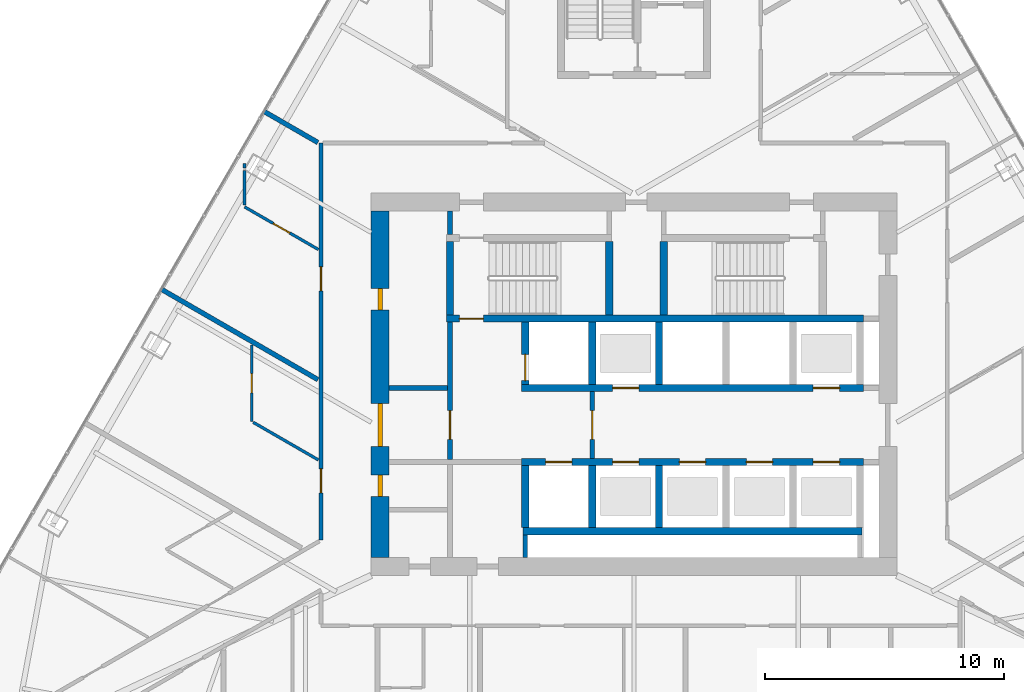
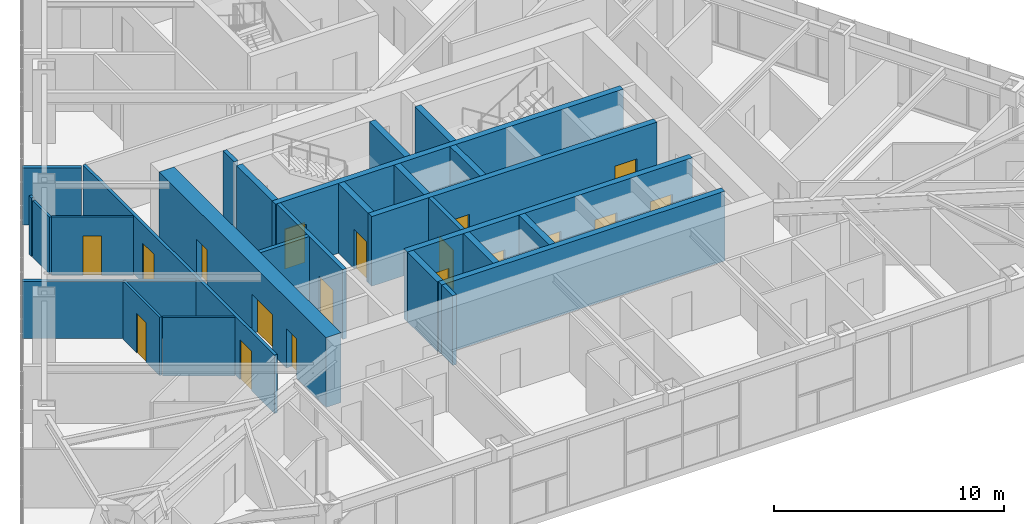
# One storey, part 19 of 24: 27 walls, 18 doors, 18 openings.
"""IFC4 building model written with IfcOpenShell, lengths in metres."""

from ifc_helpers import new_model, si_unit, direction, frame, frame_2d, origin, place, context, subcontext, project, spatial, rectangle, extrude, material, layer, layer_set, type_object, element, fill, save


model = new_model("IFC4")

# Units and contexts
model_context = context("Model", 3, precision=1e-05, world=origin(), true_north=direction((0.0, 1.0)))
body_context = subcontext(model_context, "Body", "Model", "MODEL_VIEW")
ifc_project = project(units=[si_unit("LENGTHUNIT", "METRE"), si_unit("AREAUNIT", "SQUARE_METRE"), si_unit("VOLUMEUNIT", "CUBIC_METRE"), si_unit("PLANEANGLEUNIT", "RADIAN"), si_unit("MASSUNIT", "GRAM", prefix="KILO")], contexts=[model_context])

# Site, building, storey
site_placement = place(None, origin())
site = spatial("IfcSite", under=ifc_project, at=site_placement, CompositionType="ELEMENT")
building_placement = place(site_placement, origin())
building = spatial("IfcBuilding", under=site, at=building_placement, Name="Firuza Gate Tower and Library", CompositionType="ELEMENT")
storey_placement = place(building_placement, frame((0.0, 0.0, 206.5)))
storey = spatial("IfcBuildingStorey", under=building, at=storey_placement, Name="L48", CompositionType="ELEMENT", Elevation=206.5)

# Wall
ifc_material_1 = material(Name="Plasterboard on steel studs", Category="steel")
ifc_layer_1 = layer(ifc_material_1, 0.199951171875)
ifc_layer_set_1 = layer_set([ifc_layer_1], Name="Core partition 200 EI 120")
wall_type_1 = type_object("IfcWallType", Name="Core partition 200 EI 120", PredefinedType="PARTITIONING", material=ifc_layer_set_1)
wall_1_placement = place(storey_placement, frame((64.75, 74.85009765625, 0.0), z_axis=(0.0, 0.0, 1.0), x_axis=(1.0, 0.0, 0.0)))
element("IfcWall", 1, at=wall_1_placement, inside=storey, type_object=wall_type_1, Name="Core partition L48 4", PredefinedType="PARTITIONING", context=body_context, shape_type="SweptSolid", body=[
    extrude(rectangle(XDim=2.449951171875, YDim=0.199951171875, at=frame_2d((1.22509765625, 0.0))), origin(), (0.0, 0.0, 1.0), 3.699951171875),
])

# Wall, opening, door
wall_2_placement = place(storey_placement, frame((67.300048828125, 71.85009765625, 0.0), z_axis=(0.0, 0.0, 1.0), x_axis=(0.0, 1.0, 0.0)))
wall_2 = element("IfcWall", 2, at=wall_2_placement, inside=storey, type_object=wall_type_1, Name="Core partition L48 8", PredefinedType="PARTITIONING", context=body_context, shape_type="SweptSolid", body=[
    extrude(rectangle(XDim=5.75, YDim=0.199951171875, at=frame_2d((2.875, 0.0))), origin(), (0.0, 0.0, 1.0), 3.699951171875),
])
opening_1_placement = place(wall_2_placement, frame((0.85009765625, 0.0, 0.0)))
opening_1 = element("IfcOpeningElement", 3, at=opening_1_placement, cuts=wall_2, Name="Opening L48-K19", PredefinedType="OPENING", context=body_context, shape_type="SweptSolid", body=[
    extrude(rectangle(XDim=1.199951171875, YDim=2.10009765625, at=frame_2d((0.60009765625, 1.050048828125))), frame((0.0, 0.10986328125, 0.0), z_axis=(0.0, -1.0, 0.0), x_axis=(1.0, 0.0, 0.0)), (0.0, 0.0, 1.0), 0.219970703125),
])
ifc_material_2 = material(Name="Steel", Category="steel")
door_type_1 = type_object("IfcDoorType", Name="Fire door 1200x2100 FD90S", OperationType="NOTDEFINED", PredefinedType="DOOR", material=ifc_material_2)
door_1_placement = place(opening_1_placement, origin())
door_1 = element("IfcDoor", 4, at=door_1_placement, inside=storey, type_object=door_type_1, Name="Door L48-K19", OperationType="SINGLE_SWING_RIGHT", OverallHeight=2.10009765625, OverallWidth=1.199951171875, PredefinedType="DOOR", context=body_context, shape_type="SweptSolid", body=[
    extrude(rectangle(XDim=1.199951171875, YDim=2.10009765625, at=frame_2d((0.60009765625, 1.050048828125))), frame((0.0, 0.02490234375, 0.0), z_axis=(0.0, -1.0, 0.0), x_axis=(1.0, 0.0, 0.0)), (0.0, 0.0, 1.0), 0.050048828125),
])
fill(opening_1, door_1)

# Walls
wall_3_placement = place(storey_placement, frame((67.300048828125, 81.280029296875, 0.0), z_axis=(0.0, 0.0, 1.0), x_axis=(0.0, 1.0, 0.0)))
element("IfcWall", 5, at=wall_3_placement, inside=storey, type_object=wall_type_1, Name="Core partition L48 9", PredefinedType="PARTITIONING", context=body_context, shape_type="SweptSolid", body=[
    extrude(rectangle(XDim=0.969970703125, YDim=0.199951171875, at=frame_2d((0.48486328125, 0.0))), origin(), (0.0, 0.0, 1.0), 3.699951171875),
])
wall_4_placement = place(storey_placement, frame((70.449951171875, 67.75, 0.0), z_axis=(0.0, 0.0, 1.0), x_axis=(0.0, 1.0, 0.0)))
element("IfcWall", 6, at=wall_4_placement, inside=storey, type_object=wall_type_1, Name="Core partition L48 10", PredefinedType="PARTITIONING", context=body_context, shape_type="SweptSolid", body=[
    extrude(rectangle(XDim=0.949951171875, YDim=0.199951171875, at=frame_2d((0.47509765625, 0.0))), origin(), (0.0, 0.0, 1.0), 3.699951171875),
])

# Wall, opening, door
ifc_material_3 = material(Name="Plasterboard on steel studs", Category="steel")
ifc_layer_2 = layer(ifc_material_3, 0.199951171875)
ifc_layer_set_2 = layer_set([ifc_layer_2], Name="Core partition 200 EI 60")
wall_type_2 = type_object("IfcWallType", Name="Core partition 200 EI 60", PredefinedType="PARTITIONING", material=ifc_layer_set_2)
wall_5_placement = place(storey_placement, frame((73.25, 71.89990234375, 0.0), z_axis=(0.0, 0.0, 1.0), x_axis=(0.0, 1.0, 0.0)))
wall_5 = element("IfcWall", 7, at=wall_5_placement, inside=storey, type_object=wall_type_2, Name="Core partition L48 11", PredefinedType="PARTITIONING", context=body_context, shape_type="SweptSolid", body=[
    extrude(rectangle(XDim=2.800048828125, YDim=0.199951171875, at=frame_2d((1.39990234375, 0.0))), origin(), (0.0, 0.0, 1.0), 3.699951171875),
])
opening_2_placement = place(wall_5_placement, frame((0.800048828125, 0.0, 0.0)))
opening_2 = element("IfcOpeningElement", 8, at=opening_2_placement, cuts=wall_5, Name="Opening L48-K18", PredefinedType="OPENING", context=body_context, shape_type="SweptSolid", body=[
    extrude(rectangle(XDim=1.199951171875, YDim=2.10009765625, at=frame_2d((0.60009765625, 1.050048828125))), frame((0.0, 0.10986328125, 0.0), z_axis=(0.0, -1.0, 0.0), x_axis=(1.0, 0.0, 0.0)), (0.0, 0.0, 1.0), 0.219970703125),
])
door_2_placement = place(opening_2_placement, origin())
door_2 = element("IfcDoor", 9, at=door_2_placement, inside=storey, type_object=door_type_1, Name="Door L48-K18", OperationType="SINGLE_SWING_LEFT", OverallHeight=2.10009765625, OverallWidth=1.199951171875, PredefinedType="DOOR", context=body_context, shape_type="SweptSolid", body=[
    extrude(rectangle(XDim=1.199951171875, YDim=2.10009765625, at=frame_2d((0.60009765625, 1.050048828125))), frame((0.0, 0.02490234375, 0.0), z_axis=(0.0, -1.0, 0.0), x_axis=(1.0, 0.0, 0.0)), (0.0, 0.0, 1.0), 0.050048828125),
])
fill(opening_2, door_2)

# Wall
ifc_material_4 = material(Name="Concrete C80/95", Category="concrete")
ifc_layer_3 = layer(ifc_material_4, 0.300048828125)
ifc_layer_set_3 = layer_set([ifc_layer_3], Name="Core wall 300 C80/95")
wall_type_3 = type_object("IfcWallType", Name="Core wall 300 C80/95", PredefinedType="SHEAR", material=ifc_layer_set_3)
wall_6_placement = place(storey_placement, frame((70.35009765625, 68.85009765625, 0.0), z_axis=(0.0, 0.0, 1.0), x_axis=(1.0, 0.0, 0.0)))
element("IfcWall", 10, at=wall_6_placement, inside=storey, type_object=wall_type_3, Name="Core wall L48 5", PredefinedType="SHEAR", context=body_context, shape_type="SweptSolid", body=[
    extrude(rectangle(XDim=14.199951171875, YDim=0.300048828125, at=frame_2d((7.10009765625, 0.0))), origin(), (0.0, 0.0, 1.0), 3.699951171875),
])

# Wall, openings, doors
wall_7_placement = place(storey_placement, frame((70.300048828125, 71.75, 0.0), z_axis=(0.0, 0.0, 1.0), x_axis=(1.0, 0.0, 0.0)))
wall_7 = element("IfcWall", 11, at=wall_7_placement, inside=storey, type_object=wall_type_3, Name="Core wall L48 6", PredefinedType="SHEAR", context=body_context, shape_type="SweptSolid", body=[
    extrude(rectangle(XDim=14.300048828125, YDim=0.300048828125, at=frame_2d((7.14990234375, 0.0))), origin(), (0.0, 0.0, 1.0), 3.699951171875),
])
opening_3_placement = place(wall_7_placement, frame((1.0, 0.0, 0.0)))
opening_3 = element("IfcOpeningElement", 12, at=opening_3_placement, cuts=wall_7, Name="Opening LD-FF1-L48", PredefinedType="OPENING", context=body_context, shape_type="SweptSolid", body=[
    extrude(rectangle(XDim=1.10009765625, YDim=2.10009765625, at=frame_2d((0.550048828125, 1.050048828125))), frame((0.0, 0.16015625, 0.0), z_axis=(0.0, -1.0, 0.0), x_axis=(1.0, 0.0, 0.0)), (0.0, 0.0, 1.0), 0.320068359375),
])
opening_4_placement = place(wall_7_placement, frame((3.800048828125, 0.0, 0.0)))
opening_4 = element("IfcOpeningElement", 13, at=opening_4_placement, cuts=wall_7, Name="Opening LD-MR1-L48", PredefinedType="OPENING", context=body_context, shape_type="SweptSolid", body=[
    extrude(rectangle(XDim=1.10009765625, YDim=2.10009765625, at=frame_2d((0.550048828125, 1.050048828125))), frame((0.0, 0.16015625, 0.0), z_axis=(0.0, -1.0, 0.0), x_axis=(1.0, 0.0, 0.0)), (0.0, 0.0, 1.0), 0.320068359375),
])
opening_5_placement = place(wall_7_placement, frame((6.60009765625, 0.0, 0.0)))
opening_5 = element("IfcOpeningElement", 14, at=opening_5_placement, cuts=wall_7, Name="Opening LD-MR2-L48", PredefinedType="OPENING", context=body_context, shape_type="SweptSolid", body=[
    extrude(rectangle(XDim=1.10009765625, YDim=2.10009765625, at=frame_2d((0.550048828125, 1.050048828125))), frame((0.0, 0.16015625, 0.0), z_axis=(0.0, -1.0, 0.0), x_axis=(1.0, 0.0, 0.0)), (0.0, 0.0, 1.0), 0.320068359375),
])
opening_6_placement = place(wall_7_placement, frame((9.39990234375, 0.0, 0.0)))
opening_6 = element("IfcOpeningElement", 15, at=opening_6_placement, cuts=wall_7, Name="Opening LD-MR3-L48", PredefinedType="OPENING", context=body_context, shape_type="SweptSolid", body=[
    extrude(rectangle(XDim=1.10009765625, YDim=2.10009765625, at=frame_2d((0.550048828125, 1.050048828125))), frame((0.0, 0.16015625, 0.0), z_axis=(0.0, -1.0, 0.0), x_axis=(1.0, 0.0, 0.0)), (0.0, 0.0, 1.0), 0.320068359375),
])
opening_7_placement = place(wall_7_placement, frame((12.199951171875, 0.0, 0.0)))
opening_7 = element("IfcOpeningElement", 16, at=opening_7_placement, cuts=wall_7, Name="Opening LD-MR5-L48", PredefinedType="OPENING", context=body_context, shape_type="SweptSolid", body=[
    extrude(rectangle(XDim=1.10009765625, YDim=2.10009765625, at=frame_2d((0.550048828125, 1.050048828125))), frame((0.0, 0.16015625, 0.0), z_axis=(0.0, -1.0, 0.0), x_axis=(1.0, 0.0, 0.0)), (0.0, 0.0, 1.0), 0.320068359375),
])
ifc_material_5 = material(Name="Stainless steel", Category="steel")
door_type_2 = type_object("IfcDoorType", Name="Lift landing door 1100x2100", OperationType="DOUBLE_DOOR_SLIDING", PredefinedType="DOOR", material=ifc_material_5)
door_3_placement = place(opening_3_placement, origin())
door_3 = element("IfcDoor", 17, at=door_3_placement, inside=storey, type_object=door_type_2, Name="Landing door FF1 L48", OperationType="DOUBLE_DOOR_SLIDING", OverallHeight=2.10009765625, OverallWidth=1.10009765625, PredefinedType="DOOR", context=body_context, shape_type="SweptSolid", body=[
    extrude(rectangle(XDim=1.10009765625, YDim=2.10009765625, at=frame_2d((0.550048828125, 1.050048828125))), frame((0.0, 0.02490234375, 0.0), z_axis=(0.0, -1.0, 0.0), x_axis=(1.0, 0.0, 0.0)), (0.0, 0.0, 1.0), 0.050048828125),
])
fill(opening_3, door_3)
door_4_placement = place(opening_4_placement, origin())
door_4 = element("IfcDoor", 18, at=door_4_placement, inside=storey, type_object=door_type_2, Name="Landing door MR1 L48", OperationType="DOUBLE_DOOR_SLIDING", OverallHeight=2.10009765625, OverallWidth=1.10009765625, PredefinedType="DOOR", context=body_context, shape_type="SweptSolid", body=[
    extrude(rectangle(XDim=1.10009765625, YDim=2.10009765625, at=frame_2d((0.550048828125, 1.050048828125))), frame((0.0, 0.02490234375, 0.0), z_axis=(0.0, -1.0, 0.0), x_axis=(1.0, 0.0, 0.0)), (0.0, 0.0, 1.0), 0.050048828125),
])
fill(opening_4, door_4)
door_5_placement = place(opening_5_placement, origin())
door_5 = element("IfcDoor", 19, at=door_5_placement, inside=storey, type_object=door_type_2, Name="Landing door MR2 L48", OperationType="DOUBLE_DOOR_SLIDING", OverallHeight=2.10009765625, OverallWidth=1.10009765625, PredefinedType="DOOR", context=body_context, shape_type="SweptSolid", body=[
    extrude(rectangle(XDim=1.10009765625, YDim=2.10009765625, at=frame_2d((0.550048828125, 1.050048828125))), frame((0.0, 0.02490234375, 0.0), z_axis=(0.0, -1.0, 0.0), x_axis=(1.0, 0.0, 0.0)), (0.0, 0.0, 1.0), 0.050048828125),
])
fill(opening_5, door_5)
door_6_placement = place(opening_6_placement, origin())
door_6 = element("IfcDoor", 20, at=door_6_placement, inside=storey, type_object=door_type_2, Name="Landing door MR3 L48", OperationType="DOUBLE_DOOR_SLIDING", OverallHeight=2.10009765625, OverallWidth=1.10009765625, PredefinedType="DOOR", context=body_context, shape_type="SweptSolid", body=[
    extrude(rectangle(XDim=1.10009765625, YDim=2.10009765625, at=frame_2d((0.550048828125, 1.050048828125))), frame((0.0, 0.02490234375, 0.0), z_axis=(0.0, -1.0, 0.0), x_axis=(1.0, 0.0, 0.0)), (0.0, 0.0, 1.0), 0.050048828125),
])
fill(opening_6, door_6)
door_7_placement = place(opening_7_placement, origin())
door_7 = element("IfcDoor", 21, at=door_7_placement, inside=storey, type_object=door_type_2, Name="Landing door MR5 L48", OperationType="DOUBLE_DOOR_SLIDING", OverallHeight=2.10009765625, OverallWidth=1.10009765625, PredefinedType="DOOR", context=body_context, shape_type="SweptSolid", body=[
    extrude(rectangle(XDim=1.10009765625, YDim=2.10009765625, at=frame_2d((0.550048828125, 1.050048828125))), frame((0.0, 0.02490234375, 0.0), z_axis=(0.0, -1.0, 0.0), x_axis=(1.0, 0.0, 0.0)), (0.0, 0.0, 1.0), 0.050048828125),
])
fill(opening_7, door_7)

wall_8_placement = place(storey_placement, frame((70.300048828125, 74.85009765625, 0.0), z_axis=(0.0, 0.0, 1.0), x_axis=(1.0, 0.0, 0.0)))
wall_8 = element("IfcWall", 22, at=wall_8_placement, inside=storey, type_object=wall_type_3, Name="Core wall L48 7", PredefinedType="SHEAR", context=body_context, shape_type="SweptSolid", body=[
    extrude(rectangle(XDim=14.300048828125, YDim=0.300048828125, at=frame_2d((7.14990234375, 0.0))), origin(), (0.0, 0.0, 1.0), 3.699951171875),
])
opening_8_placement = place(wall_8_placement, frame((3.800048828125, 0.0, 0.0)))
opening_8 = element("IfcOpeningElement", 23, at=opening_8_placement, cuts=wall_8, Name="Opening LD-MR4-L48", PredefinedType="OPENING", context=body_context, shape_type="SweptSolid", body=[
    extrude(rectangle(XDim=1.10009765625, YDim=2.10009765625, at=frame_2d((0.550048828125, 1.050048828125))), frame((0.0, 0.16015625, 0.0), z_axis=(0.0, -1.0, 0.0), x_axis=(1.0, 0.0, 0.0)), (0.0, 0.0, 1.0), 0.320068359375),
])
opening_9_placement = place(wall_8_placement, frame((12.199951171875, 0.0, 0.0)))
opening_9 = element("IfcOpeningElement", 24, at=opening_9_placement, cuts=wall_8, Name="Opening LD-MR6-L48", PredefinedType="OPENING", context=body_context, shape_type="SweptSolid", body=[
    extrude(rectangle(XDim=1.10009765625, YDim=2.10009765625, at=frame_2d((0.550048828125, 1.050048828125))), frame((0.0, 0.16015625, 0.0), z_axis=(0.0, -1.0, 0.0), x_axis=(1.0, 0.0, 0.0)), (0.0, 0.0, 1.0), 0.320068359375),
])
door_8_placement = place(opening_8_placement, origin())
door_8 = element("IfcDoor", 25, at=door_8_placement, inside=storey, type_object=door_type_2, Name="Landing door MR4 L48", OperationType="DOUBLE_DOOR_SLIDING", OverallHeight=2.10009765625, OverallWidth=1.10009765625, PredefinedType="DOOR", context=body_context, shape_type="SweptSolid", body=[
    extrude(rectangle(XDim=1.10009765625, YDim=2.10009765625, at=frame_2d((0.550048828125, 1.050048828125))), frame((0.0, 0.02490234375, 0.0), z_axis=(0.0, -1.0, 0.0), x_axis=(1.0, 0.0, 0.0)), (0.0, 0.0, 1.0), 0.050048828125),
])
fill(opening_8, door_8)
door_9_placement = place(opening_9_placement, origin())
door_9 = element("IfcDoor", 26, at=door_9_placement, inside=storey, type_object=door_type_2, Name="Landing door MR6 L48", OperationType="DOUBLE_DOOR_SLIDING", OverallHeight=2.10009765625, OverallWidth=1.10009765625, PredefinedType="DOOR", context=body_context, shape_type="SweptSolid", body=[
    extrude(rectangle(XDim=1.10009765625, YDim=2.10009765625, at=frame_2d((0.550048828125, 1.050048828125))), frame((0.0, 0.02490234375, 0.0), z_axis=(0.0, -1.0, 0.0), x_axis=(1.0, 0.0, 0.0)), (0.0, 0.0, 1.0), 0.050048828125),
])
fill(opening_9, door_9)

# Wall
wall_9_placement = place(storey_placement, frame((70.449951171875, 69.0, 0.0), z_axis=(0.0, 0.0, 1.0), x_axis=(0.0, 1.0, 0.0)))
element("IfcWall", 27, at=wall_9_placement, inside=storey, type_object=wall_type_3, Name="Core wall L48 8", PredefinedType="SHEAR", context=body_context, shape_type="SweptSolid", body=[
    extrude(rectangle(XDim=2.60009765625, YDim=0.300048828125, at=frame_2d((1.300048828125, 0.0))), origin(), (0.0, 0.0, 1.0), 3.699951171875),
])

# Wall, opening, door
wall_10_placement = place(storey_placement, frame((70.449951171875, 75.0, 0.0), z_axis=(0.0, 0.0, 1.0), x_axis=(0.0, 1.0, 0.0)))
wall_10 = element("IfcWall", 28, at=wall_10_placement, inside=storey, type_object=wall_type_3, Name="Core wall L48 9", PredefinedType="SHEAR", context=body_context, shape_type="SweptSolid", body=[
    extrude(rectangle(XDim=2.60009765625, YDim=0.300048828125, at=frame_2d((1.300048828125, 0.0))), origin(), (0.0, 0.0, 1.0), 3.699951171875),
])
opening_10_placement = place(wall_10_placement, frame((0.14990234375, 0.0, 0.0)))
opening_10 = element("IfcOpeningElement", 29, at=opening_10_placement, cuts=wall_10, Name="Opening LD-FF2-L48", PredefinedType="OPENING", context=body_context, shape_type="SweptSolid", body=[
    extrude(rectangle(XDim=1.10009765625, YDim=2.10009765625, at=frame_2d((0.550048828125, 1.050048828125))), frame((0.0, 0.16015625, 0.0), z_axis=(0.0, -1.0, 0.0), x_axis=(1.0, 0.0, 0.0)), (0.0, 0.0, 1.0), 0.320068359375),
])
door_10_placement = place(opening_10_placement, origin())
door_10 = element("IfcDoor", 30, at=door_10_placement, inside=storey, type_object=door_type_2, Name="Landing door FF2 L48", OperationType="DOUBLE_DOOR_SLIDING", OverallHeight=2.10009765625, OverallWidth=1.10009765625, PredefinedType="DOOR", context=body_context, shape_type="SweptSolid", body=[
    extrude(rectangle(XDim=1.10009765625, YDim=2.10009765625, at=frame_2d((0.550048828125, 1.050048828125))), frame((0.0, 0.02490234375, 0.0), z_axis=(0.0, -1.0, 0.0), x_axis=(1.0, 0.0, 0.0)), (0.0, 0.0, 1.0), 0.050048828125),
])
fill(opening_10, door_10)

# Walls
for number, where, z_axis, x_axis, name in (
    (31, (73.25, 69.0, 0.0), (0.0, 0.0, 1.0), (0.0, 1.0, 0.0), "Core wall L48 10"),
    (32, (73.25, 75.0, 0.0), (0.0, 0.0, 1.0), (0.0, 1.0, 0.0), "Core wall L48 11"),
    (33, (76.050048828125, 69.0, 0.0), (0.0, 0.0, 1.0), (0.0, 1.0, 0.0), "Core wall L48 12"),
    (34, (76.050048828125, 75.0, 0.0), (0.0, 0.0, 1.0), (0.0, 1.0, 0.0), "Core wall L48 13"),
):
    element("IfcWall", number, at=place(storey_placement, frame(where, z_axis=z_axis, x_axis=x_axis)), inside=storey, type_object=wall_type_3, Name=name, PredefinedType="SHEAR", context=body_context, shape_type="SweptSolid", body=[
        extrude(rectangle(XDim=2.60009765625, YDim=0.300048828125, at=frame_2d((1.300048828125, 0.0))), origin(), (0.0, 0.0, 1.0), 3.699951171875),
    ])

# Wall, opening, door
wall_11_placement = place(storey_placement, frame((67.14990234375, 77.75, 0.0), z_axis=(0.0, 0.0, 1.0), x_axis=(1.0, 0.0, 0.0)))
wall_11 = element("IfcWall", 35, at=wall_11_placement, inside=storey, type_object=wall_type_3, Name="Core wall L48 20", PredefinedType="SHEAR", context=body_context, shape_type="SweptSolid", body=[
    extrude(rectangle(XDim=17.4501953125, YDim=0.300048828125, at=frame_2d((8.72509765625, 0.0))), origin(), (0.0, 0.0, 1.0), 3.699951171875),
])
opening_11_placement = place(wall_11_placement, frame((0.544921875, 0.0, 0.0)))
opening_11 = element("IfcOpeningElement", 36, at=opening_11_placement, cuts=wall_11, Name="Opening L48-K10", PredefinedType="OPENING", context=body_context, shape_type="SweptSolid", body=[
    extrude(rectangle(XDim=1.0, YDim=2.10009765625, at=frame_2d((0.5, 1.050048828125))), frame((0.0, 0.16015625, 0.0), z_axis=(0.0, -1.0, 0.0), x_axis=(1.0, 0.0, 0.0)), (0.0, 0.0, 1.0), 0.320068359375),
])
ifc_material_6 = material(Name="Steel", Category="steel")
door_type_3 = type_object("IfcDoorType", Name="Fire door 1000x2100 FD90", OperationType="NOTDEFINED", PredefinedType="DOOR", material=ifc_material_6)
door_11_placement = place(opening_11_placement, origin())
door_11 = element("IfcDoor", 37, at=door_11_placement, inside=storey, type_object=door_type_3, Name="Door L48-K10", OperationType="SINGLE_SWING_LEFT", OverallHeight=2.10009765625, OverallWidth=1.0, PredefinedType="DOOR", context=body_context, shape_type="SweptSolid", body=[
    extrude(rectangle(XDim=1.0, YDim=2.10009765625, at=frame_2d((0.5, 1.050048828125))), frame((0.0, 0.02490234375, 0.0), z_axis=(0.0, -1.0, 0.0), x_axis=(1.0, 0.0, 0.0)), (0.0, 0.0, 1.0), 0.050048828125),
])
fill(opening_11, door_11)

# Walls
for number, where, z_axis, x_axis, name in (
    (38, (67.300048828125, 77.89990234375, 0.0), (0.0, 0.0, 1.0), (0.0, 1.0, 0.0), "Core wall L48 23"),
    (39, (73.9599609375, 77.89990234375, 0.0), (0.0, 0.0, 1.0), (0.0, 1.0, 0.0), "Core wall L48 24"),
    (40, (76.239990234375, 77.89990234375, 0.0), (0.0, 0.0, 1.0), (0.0, 1.0, 0.0), "Core wall L48 25"),
):
    element("IfcWall", number, at=place(storey_placement, frame(where, z_axis=z_axis, x_axis=x_axis)), inside=storey, type_object=wall_type_3, Name=name, PredefinedType="SHEAR", context=body_context, shape_type="SweptSolid", body=[
        extrude(rectangle(XDim=3.080078125, YDim=0.300048828125, at=frame_2d((1.5400390625, 0.0))), origin(), (0.0, 0.0, 1.0), 3.699951171875),
    ])

# Wall, openings, doors
ifc_material_7 = material(Name="Concrete C80/95", Category="concrete")
ifc_layer_4 = layer(ifc_material_7, 0.75)
ifc_layer_set_4 = layer_set([ifc_layer_4], Name="Core wall 750 C80/95")
wall_type_4 = type_object("IfcWallType", Name="Core wall 750 C80/95", PredefinedType="SHEAR", material=ifc_layer_set_4)
wall_12_placement = place(storey_placement, frame((64.375, 67.75, 0.0), z_axis=(0.0, 0.0, 1.0), x_axis=(0.0, 1.0, 0.0)))
wall_12 = element("IfcWall", 41, at=wall_12_placement, inside=storey, type_object=wall_type_4, Name="Core wall L48 3", PredefinedType="SHEAR", context=body_context, shape_type="SweptSolid", body=[
    extrude(rectangle(XDim=14.5, YDim=0.75, at=frame_2d((7.25, 0.0))), origin(), (0.0, 0.0, 1.0), 3.699951171875),
])
opening_12_placement = place(wall_12_placement, frame((4.64990234375, 0.0, 0.0)))
opening_12 = element("IfcOpeningElement", 42, at=opening_12_placement, cuts=wall_12, Name="Opening L48-K20", PredefinedType="OPENING", context=body_context, shape_type="SweptSolid", body=[
    extrude(rectangle(XDim=1.800048828125, YDim=2.10009765625, at=frame_2d((0.89990234375, 1.050048828125))), frame((0.0, 0.385009765625, 0.0), z_axis=(0.0, -1.0, 0.0), x_axis=(1.0, 0.0, 0.0)), (0.0, 0.0, 1.0), 0.77001953125),
])
opening_13_placement = place(wall_12_placement, frame((2.550048828125, 0.0, 0.0)))
opening_13 = element("IfcOpeningElement", 43, at=opening_13_placement, cuts=wall_12, Name="Opening L48-K23", PredefinedType="OPENING", context=body_context, shape_type="SweptSolid", body=[
    extrude(rectangle(XDim=0.89990234375, YDim=2.10009765625, at=frame_2d((0.449951171875, 1.050048828125))), frame((0.0, 0.385009765625, 0.0), z_axis=(0.0, -1.0, 0.0), x_axis=(1.0, 0.0, 0.0)), (0.0, 0.0, 1.0), 0.77001953125),
])
opening_14_placement = place(wall_12_placement, frame((10.35009765625, 0.0, 0.0)))
opening_14 = element("IfcOpeningElement", 44, at=opening_14_placement, cuts=wall_12, Name="Opening L48-K25", PredefinedType="OPENING", context=body_context, shape_type="SweptSolid", body=[
    extrude(rectangle(XDim=0.89990234375, YDim=2.10009765625, at=frame_2d((0.449951171875, 1.050048828125))), frame((0.0, 0.385009765625, 0.0), z_axis=(0.0, -1.0, 0.0), x_axis=(1.0, 0.0, 0.0)), (0.0, 0.0, 1.0), 0.77001953125),
])
ifc_material_8 = material(Name="Steel", Category="steel")
door_type_4 = type_object("IfcDoorType", Name="Fire door 1800x2100 FD30S", OperationType="NOTDEFINED", PredefinedType="DOOR", material=ifc_material_8)
door_12_placement = place(opening_12_placement, origin())
door_12 = element("IfcDoor", 45, at=door_12_placement, inside=storey, type_object=door_type_4, Name="Door L48-K20", OperationType="SINGLE_SWING_LEFT", OverallHeight=2.10009765625, OverallWidth=1.800048828125, PredefinedType="DOOR", context=body_context, shape_type="SweptSolid", body=[
    extrude(rectangle(XDim=1.800048828125, YDim=2.10009765625, at=frame_2d((0.89990234375, 1.050048828125))), frame((0.0, 0.094970703125, 0.0), z_axis=(0.0, -1.0, 0.0), x_axis=(1.0, 0.0, 0.0)), (0.0, 0.0, 1.0), 0.18994140625),
])
fill(opening_12, door_12)
ifc_material_9 = material(Name="Steel", Category="steel")
door_type_5 = type_object("IfcDoorType", Name="Fire door 900x2100 FD30S", OperationType="NOTDEFINED", PredefinedType="DOOR", material=ifc_material_9)
door_13_placement = place(opening_13_placement, origin())
door_13 = element("IfcDoor", 46, at=door_13_placement, inside=storey, type_object=door_type_5, Name="Door L48-K23", OperationType="SINGLE_SWING_RIGHT", OverallHeight=2.10009765625, OverallWidth=0.89990234375, PredefinedType="DOOR", context=body_context, shape_type="SweptSolid", body=[
    extrude(rectangle(XDim=0.89990234375, YDim=2.10009765625, at=frame_2d((0.449951171875, 1.050048828125))), frame((0.0, 0.094970703125, 0.0), z_axis=(0.0, -1.0, 0.0), x_axis=(1.0, 0.0, 0.0)), (0.0, 0.0, 1.0), 0.18994140625),
])
fill(opening_13, door_13)
door_14_placement = place(opening_14_placement, origin())
door_14 = element("IfcDoor", 47, at=door_14_placement, inside=storey, type_object=door_type_5, Name="Door L48-K25", OperationType="SINGLE_SWING_RIGHT", OverallHeight=2.10009765625, OverallWidth=0.89990234375, PredefinedType="DOOR", context=body_context, shape_type="SweptSolid", body=[
    extrude(rectangle(XDim=0.89990234375, YDim=2.10009765625, at=frame_2d((0.449951171875, 1.050048828125))), frame((0.0, 0.094970703125, 0.0), z_axis=(0.0, -1.0, 0.0), x_axis=(1.0, 0.0, 0.0)), (0.0, 0.0, 1.0), 0.18994140625),
])
fill(opening_14, door_14)

ifc_material_10 = material(Name="Gypsum board partition")
ifc_layer_5 = layer(ifc_material_10, 0.14990234375)
ifc_layer_set_5 = layer_set([ifc_layer_5], Name="Corridor wall 150 double board on steel studs")
wall_type_5 = type_object("IfcWallType", Name="Corridor wall 150 double board on steel studs", PredefinedType="PARTITIONING", material=ifc_layer_set_5)
wall_13_placement = place(storey_placement, frame((61.89990234375, 68.47607421875, 0.0), z_axis=(0.0, 0.0, 1.0), x_axis=(0.0, 1.0, 0.0)))
wall_13 = element("IfcWall", 48, at=wall_13_placement, inside=storey, type_object=wall_type_5, Name="f:L48:w064", PredefinedType="PARTITIONING", context=body_context, shape_type="SweptSolid", body=[
    extrude(rectangle(XDim=16.62353515625, YDim=0.14990234375, at=frame_2d((8.311767578125, 0.0))), origin(), (0.0, 0.0, 1.0), 3.10009765625),
])
opening_15_placement = place(wall_13_placement, frame((1.984375, 0.0, 0.0)))
opening_15 = element("IfcOpeningElement", 49, at=opening_15_placement, cuts=wall_13, Name="Opening L48-33", PredefinedType="OPENING", context=body_context, shape_type="SweptSolid", body=[
    extrude(rectangle(XDim=1.0, YDim=2.10009765625, at=frame_2d((0.5, 1.050048828125))), frame((0.0, 0.0849609375, 0.0), z_axis=(0.0, -1.0, 0.0), x_axis=(1.0, 0.0, 0.0)), (0.0, 0.0, 1.0), 0.169921875),
])
opening_16_placement = place(wall_13_placement, frame((10.4365234375, 0.0, 0.0)))
opening_16 = element("IfcOpeningElement", 50, at=opening_16_placement, cuts=wall_13, Name="Opening L48-34", PredefinedType="OPENING", context=body_context, shape_type="SweptSolid", body=[
    extrude(rectangle(XDim=1.0, YDim=2.10009765625, at=frame_2d((0.5, 1.050048828125))), frame((0.0, 0.0849609375, 0.0), z_axis=(0.0, -1.0, 0.0), x_axis=(1.0, 0.0, 0.0)), (0.0, 0.0, 1.0), 0.169921875),
])
ifc_material_11 = material(Name="Steel door and timber leaf", Category="steel")
door_type_6 = type_object("IfcDoorType", Name="Fire door 1000 x 2100 steel frame, timber leaf", OperationType="NOTDEFINED", PredefinedType="DOOR", material=ifc_material_11)
door_15_placement = place(opening_15_placement, origin())
door_15 = element("IfcDoor", 51, at=door_15_placement, inside=storey, type_object=door_type_6, Name="f:L48:d033", OperationType="SINGLE_SWING_RIGHT", OverallHeight=2.10009765625, OverallWidth=1.0, PredefinedType="DOOR", context=body_context, shape_type="SweptSolid", body=[
    extrude(rectangle(XDim=1.0, YDim=2.10009765625, at=frame_2d((0.5, 1.050048828125))), frame((0.0, 0.02490234375, 0.0), z_axis=(0.0, -1.0, 0.0), x_axis=(1.0, 0.0, 0.0)), (0.0, 0.0, 1.0), 0.050048828125),
])
fill(opening_15, door_15)
door_16_placement = place(opening_16_placement, origin())
door_16 = element("IfcDoor", 52, at=door_16_placement, inside=storey, type_object=door_type_6, Name="f:L48:d034", OperationType="SINGLE_SWING_RIGHT", OverallHeight=2.10009765625, OverallWidth=1.0, PredefinedType="DOOR", context=body_context, shape_type="SweptSolid", body=[
    extrude(rectangle(XDim=1.0, YDim=2.10009765625, at=frame_2d((0.5, 1.050048828125))), frame((0.0, 0.02490234375, 0.0), z_axis=(0.0, -1.0, 0.0), x_axis=(1.0, 0.0, 0.0)), (0.0, 0.0, 1.0), 0.050048828125),
])
fill(opening_16, door_16)

# Walls
ifc_material_12 = material(Name="Gypsum board partition")
ifc_layer_6 = layer(ifc_material_12, 0.199951171875)
ifc_layer_set_6 = layer_set([ifc_layer_6], Name="Demising wall 200 acoustic double stud")
wall_type_6 = type_object("IfcWallType", Name="Demising wall 200 acoustic double stud", PredefinedType="PARTITIONING", material=ifc_layer_set_6)
wall_14_placement = place(storey_placement, frame((61.77001953125, 85.118896484375, 0.0), z_axis=(0.0, 0.0, 1.0), x_axis=(-0.866055039205, 0.499948666432, 0.0)))
element("IfcWall", 53, at=wall_14_placement, inside=storey, type_object=wall_type_6, Name="f:L48:w084", PredefinedType="PARTITIONING", context=body_context, shape_type="SweptSolid", body=[
    extrude(rectangle(XDim=2.584716796875, YDim=0.199951171875, at=frame_2d((1.29248046875, 0.0))), origin(), (0.0, 0.0, 1.0), 3.02197265625),
])
wall_15_placement = place(storey_placement, frame((61.773193359375, 75.194580078125, 0.0), z_axis=(0.0, 0.0, 1.0), x_axis=(-0.866025649656, 0.499999574138, 0.0)))
element("IfcWall", 54, at=wall_15_placement, inside=storey, type_object=wall_type_6, Name="f:L48:w090", PredefinedType="PARTITIONING", context=body_context, shape_type="SweptSolid", body=[
    extrude(rectangle(XDim=7.5498046875, YDim=0.199951171875, at=frame_2d((3.77490234375, 0.0))), origin(), (0.0, 0.0, 1.0), 3.02197265625),
])

# Wall, opening, door
ifc_material_13 = material(Name="Gypsum board partition")
ifc_layer_7 = layer(ifc_material_13, 0.1201171875)
ifc_layer_set_7 = layer_set([ifc_layer_7], Name="Wet-area partition 120 moisture-resistant board")
wall_type_7 = type_object("IfcWallType", Name="Wet-area partition 120 moisture-resistant board", PredefinedType="PARTITIONING", material=ifc_layer_set_7)
wall_16_placement = place(storey_placement, frame((59.0, 76.6396484375, 0.0), z_axis=(0.0, 0.0, 1.0), x_axis=(0.0, -1.0, 0.0)))
wall_16 = element("IfcWall", 55, at=wall_16_placement, inside=storey, type_object=wall_type_7, Name="f:L48:w066", PredefinedType="PARTITIONING", context=body_context, shape_type="SweptSolid", body=[
    extrude(rectangle(XDim=3.193603515625, YDim=0.1201171875, at=frame_2d((1.5966796875, 0.0))), origin(), (0.0, 0.0, 1.0), 3.10009765625),
])
opening_17_placement = place(wall_16_placement, frame((1.19677734375, 0.0, 0.0)))
opening_17 = element("IfcOpeningElement", 56, at=opening_17_placement, cuts=wall_16, Name="Opening L48-35", PredefinedType="OPENING", context=body_context, shape_type="SweptSolid", body=[
    extrude(rectangle(XDim=0.800048828125, YDim=2.10009765625, at=frame_2d((0.39990234375, 1.050048828125))), frame((0.0, 0.070068359375, 0.0), z_axis=(0.0, -1.0, 0.0), x_axis=(1.0, 0.0, 0.0)), (0.0, 0.0, 1.0), 0.14013671875),
])
ifc_material_14 = material(Name="Timber door", Category="wood")
door_type_7 = type_object("IfcDoorType", Name="Door 800 x 2100 timber leaf", OperationType="NOTDEFINED", PredefinedType="DOOR", material=ifc_material_14)
door_17_placement = place(opening_17_placement, origin())
door_17 = element("IfcDoor", 57, at=door_17_placement, inside=storey, type_object=door_type_7, Name="f:L48:d035", OperationType="SINGLE_SWING_RIGHT", OverallHeight=2.10009765625, OverallWidth=0.800048828125, PredefinedType="DOOR", context=body_context, shape_type="SweptSolid", body=[
    extrude(rectangle(XDim=0.800048828125, YDim=2.10009765625, at=frame_2d((0.39990234375, 1.050048828125))), frame((0.0, 0.02490234375, 0.0), z_axis=(0.0, -1.0, 0.0), x_axis=(1.0, 0.0, 0.0)), (0.0, 0.0, 1.0), 0.050048828125),
])
fill(opening_17, door_17)

# Walls
wall_17_placement = place(storey_placement, frame((58.699951171875, 82.495361328125, 0.0), z_axis=(0.0, 0.0, 1.0), x_axis=(0.0, 1.0, 0.0)))
element("IfcWall", 58, at=wall_17_placement, inside=storey, type_object=wall_type_7, Name="f:L48:w067", PredefinedType="PARTITIONING", context=body_context, shape_type="SweptSolid", body=[
    extrude(rectangle(XDim=1.453369140625, YDim=0.1201171875, at=frame_2d((0.7265625, 0.0))), origin(), (0.0, 0.0, 1.0), 3.02197265625),
])
wall_18_placement = place(storey_placement, frame((58.699951171875, 84.051025390625, 0.0), z_axis=(0.0, 0.0, 1.0), x_axis=(0.0, 1.0, 0.0)))
element("IfcWall", 59, at=wall_18_placement, inside=storey, type_object=wall_type_7, Name="f:L48:w068", PredefinedType="PARTITIONING", context=body_context, shape_type="SweptSolid", body=[
    extrude(rectangle(XDim=0.199951171875, YDim=0.1201171875, at=frame_2d((0.10009765625, 0.0))), origin(), (0.0, 0.0, 1.0), 3.10009765625),
])

# Wall, opening, door
wall_19_placement = place(storey_placement, frame((58.699951171875, 82.426025390625, 0.0), z_axis=(0.0, 0.0, 1.0), x_axis=(0.866028357664, -0.499994883695, 0.0)))
wall_19 = element("IfcWall", 60, at=wall_19_placement, inside=storey, type_object=wall_type_7, Name="f:L48:w088", PredefinedType="PARTITIONING", context=body_context, shape_type="SweptSolid", body=[
    extrude(rectangle(XDim=3.568359375, YDim=0.1201171875, at=frame_2d((1.7841796875, 0.0))), origin(), (0.0, 0.0, 1.0), 3.10009765625),
])
opening_18_placement = place(wall_19_placement, frame((1.38427734375, 0.0, 0.0)))
opening_18 = element("IfcOpeningElement", 61, at=opening_18_placement, cuts=wall_19, Name="Opening L48-44", PredefinedType="OPENING", context=body_context, shape_type="SweptSolid", body=[
    extrude(rectangle(XDim=0.800048828125, YDim=2.10009765625, at=frame_2d((0.39990234375, 1.050048828125))), frame((0.0, 0.070068359375, 0.0), z_axis=(0.0, -1.0, 0.0), x_axis=(1.0, 0.0, 0.0)), (0.0, 0.0, 1.0), 0.14013671875),
])
door_18_placement = place(opening_18_placement, origin())
door_18 = element("IfcDoor", 62, at=door_18_placement, inside=storey, type_object=door_type_7, Name="f:L48:d044", OperationType="SINGLE_SWING_RIGHT", OverallHeight=2.10009765625, OverallWidth=0.800048828125, PredefinedType="DOOR", context=body_context, shape_type="SweptSolid", body=[
    extrude(rectangle(XDim=0.800048828125, YDim=2.10009765625, at=frame_2d((0.39990234375, 1.050048828125))), frame((0.0, 0.02490234375, 0.0), z_axis=(0.0, -1.0, 0.0), x_axis=(1.0, 0.0, 0.0)), (0.0, 0.0, 1.0), 0.050048828125),
])
fill(opening_18, door_18)

# Wall
wall_20_placement = place(storey_placement, frame((61.790283203125, 71.8349609375, 0.0), z_axis=(0.0, 0.0, 1.0), x_axis=(-0.866028267601, 0.499995039691, 0.0)))
element("IfcWall", 63, at=wall_20_placement, inside=storey, type_object=wall_type_7, Name="f:L48:w091", PredefinedType="PARTITIONING", context=body_context, shape_type="SweptSolid", body=[
    extrude(rectangle(XDim=3.15283203125, YDim=0.1201171875, at=frame_2d((1.576416015625, 0.0))), origin(), (0.0, 0.0, 1.0), 3.10009765625),
])

save(model, "model.ifc")
